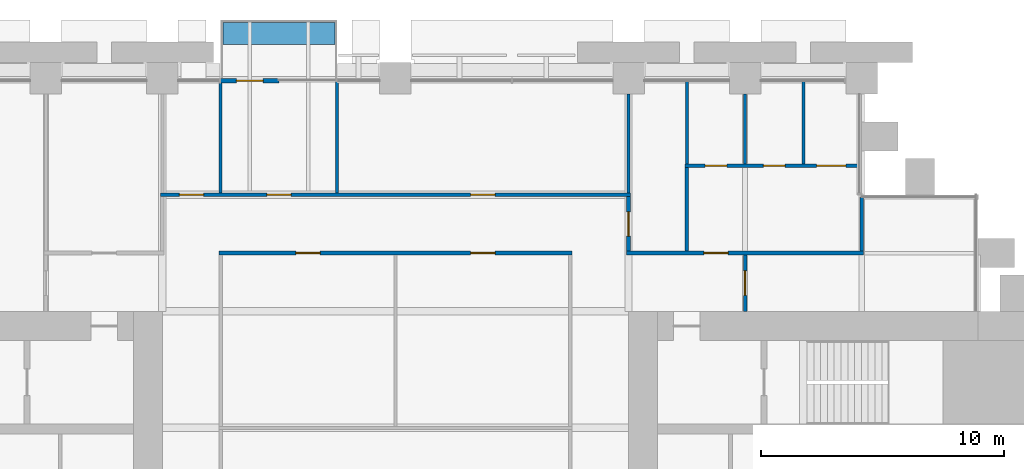
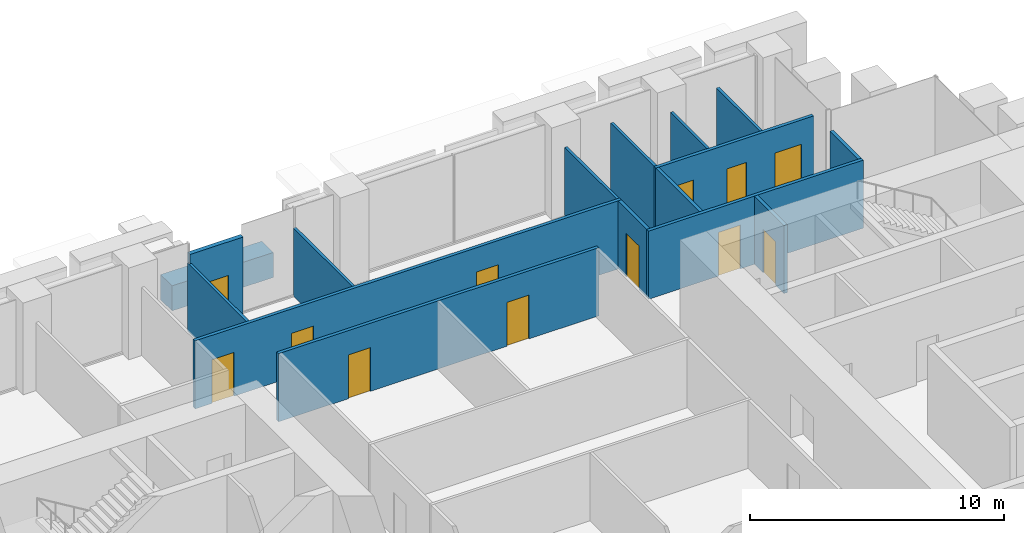
# One storey, part 27 of 32: 16 walls, 12 doors, 12 openings.
"""IFC4 building model written with IfcOpenShell, lengths in metres."""

from ifc_helpers import new_model, si_unit, direction, frame, frame_2d, origin, place, context, subcontext, project, spatial, rectangle, extrude, material, layer, layer_set, type_object, element, fill, save


model = new_model("IFC4")

# Units and contexts
model_context = context("Model", 3, precision=1e-05, world=origin(), true_north=direction((0.0, 1.0)))
body_context = subcontext(model_context, "Body", "Model", "MODEL_VIEW")
ifc_project = project(units=[si_unit("LENGTHUNIT", "METRE"), si_unit("AREAUNIT", "SQUARE_METRE"), si_unit("VOLUMEUNIT", "CUBIC_METRE"), si_unit("PLANEANGLEUNIT", "RADIAN"), si_unit("MASSUNIT", "GRAM", prefix="KILO")], contexts=[model_context])

# Site, building, storey
site_placement = place(None, origin())
site = spatial("IfcSite", under=ifc_project, at=site_placement, CompositionType="ELEMENT")
building_placement = place(site_placement, origin())
building = spatial("IfcBuilding", under=site, at=building_placement, Name="Baori Bourse Tower", CompositionType="ELEMENT")
storey_placement = place(building_placement, frame((0.0, 0.0, 21.39990234375)))
storey = spatial("IfcBuildingStorey", under=building, at=storey_placement, Name="L03", CompositionType="ELEMENT", Elevation=21.39990234375)

# Wall, openings, doors
ifc_material_1 = material(Name="Gypsum board partition")
ifc_layer_1 = layer(ifc_material_1, 0.14990234375)
ifc_layer_set_1 = layer_set([ifc_layer_1], Name="Corridor partition 150")
wall_type_1 = type_object("IfcWallType", Name="Corridor partition 150", PredefinedType="PARTITIONING", material=ifc_layer_set_1)
wall_1_placement = place(storey_placement, frame((21.52490234375, 40.800048828125, 0.0), z_axis=(0.0, 0.0, 1.0), x_axis=(1.0, 0.0, 0.0)))
wall_1 = element("IfcWall", 1, at=wall_1_placement, inside=storey, type_object=wall_type_1, Name="Partition", PredefinedType="PARTITIONING", context=body_context, shape_type="SweptSolid", body=[
    extrude(rectangle(XDim=14.550048828125, YDim=0.14990234375, at=frame_2d((7.27490234375, 0.0))), origin(), (0.0, 0.0, 1.0), 3.269775390625),
])
opening_1_placement = place(wall_1_placement, frame((3.175048828125, 0.0, 0.0)))
opening_1 = element("IfcOpeningElement", 2, at=opening_1_placement, cuts=wall_1, Name="Opening L03-D10", PredefinedType="OPENING", context=body_context, shape_type="SweptSolid", body=[
    extrude(rectangle(XDim=1.0, YDim=2.10009765625, at=frame_2d((0.5, 1.050048828125))), frame((0.0, 0.0849609375, 0.0), z_axis=(0.0, -1.0, 0.0), x_axis=(1.0, 0.0, 0.0)), (0.0, 0.0, 1.0), 0.169921875),
])
opening_2_placement = place(wall_1_placement, frame((10.375, 0.0, 0.0)))
opening_2 = element("IfcOpeningElement", 3, at=opening_2_placement, cuts=wall_1, Name="Opening L03-D11", PredefinedType="OPENING", context=body_context, shape_type="SweptSolid", body=[
    extrude(rectangle(XDim=1.0, YDim=2.10009765625, at=frame_2d((0.5, 1.050048828125))), frame((0.0, 0.0849609375, 0.0), z_axis=(0.0, -1.0, 0.0), x_axis=(1.0, 0.0, 0.0)), (0.0, 0.0, 1.0), 0.169921875),
])
ifc_material_2 = material(Name="Timber door leaf", Category="wood")
door_type_1 = type_object("IfcDoorType", Name="Door 1000 x 2100", OperationType="SINGLE_SWING_LEFT", PredefinedType="DOOR", material=ifc_material_2)
door_1_placement = place(opening_1_placement, origin())
door_1 = element("IfcDoor", 4, at=door_1_placement, inside=storey, type_object=door_type_1, Name="Door", OperationType="SINGLE_SWING_LEFT", OverallHeight=2.10009765625, OverallWidth=1.0, PredefinedType="DOOR", context=body_context, shape_type="SweptSolid", body=[
    extrude(rectangle(XDim=1.0, YDim=2.10009765625, at=frame_2d((0.5, 1.050048828125))), frame((0.0, 0.02490234375, 0.0), z_axis=(0.0, -1.0, 0.0), x_axis=(1.0, 0.0, 0.0)), (0.0, 0.0, 1.0), 0.050048828125),
])
fill(opening_1, door_1)
door_2_placement = place(opening_2_placement, origin())
door_2 = element("IfcDoor", 5, at=door_2_placement, inside=storey, type_object=door_type_1, Name="Door", OperationType="SINGLE_SWING_RIGHT", OverallHeight=2.10009765625, OverallWidth=1.0, PredefinedType="DOOR", context=body_context, shape_type="SweptSolid", body=[
    extrude(rectangle(XDim=1.0, YDim=2.10009765625, at=frame_2d((0.5, 1.050048828125))), frame((0.0, 0.02490234375, 0.0), z_axis=(0.0, -1.0, 0.0), x_axis=(1.0, 0.0, 0.0)), (0.0, 0.0, 1.0), 0.050048828125),
])
fill(opening_2, door_2)

# Wall, opening, door
wall_2_placement = place(storey_placement, frame((38.324951171875, 40.800048828125, 0.0), z_axis=(0.0, 0.0, 1.0), x_axis=(1.0, 0.0, 0.0)))
wall_2 = element("IfcWall", 6, at=wall_2_placement, inside=storey, type_object=wall_type_1, Name="Partition", PredefinedType="PARTITIONING", context=body_context, shape_type="SweptSolid", body=[
    extrude(rectangle(XDim=9.75, YDim=0.14990234375, at=frame_2d((4.875, 0.0))), origin(), (0.0, 0.0, 1.0), 3.269775390625),
])
opening_3_placement = place(wall_2_placement, frame((3.175048828125, 0.0, 0.0)))
opening_3 = element("IfcOpeningElement", 7, at=opening_3_placement, cuts=wall_2, Name="Opening L03-D12", PredefinedType="OPENING", context=body_context, shape_type="SweptSolid", body=[
    extrude(rectangle(XDim=1.0, YDim=2.10009765625, at=frame_2d((0.5, 1.050048828125))), frame((0.0, 0.0849609375, 0.0), z_axis=(0.0, -1.0, 0.0), x_axis=(1.0, 0.0, 0.0)), (0.0, 0.0, 1.0), 0.169921875),
])
door_3_placement = place(opening_3_placement, origin())
door_3 = element("IfcDoor", 8, at=door_3_placement, inside=storey, type_object=door_type_1, Name="Door", OperationType="SINGLE_SWING_LEFT", OverallHeight=2.10009765625, OverallWidth=1.0, PredefinedType="DOOR", context=body_context, shape_type="SweptSolid", body=[
    extrude(rectangle(XDim=1.0, YDim=2.10009765625, at=frame_2d((0.5, 1.050048828125))), frame((0.0, 0.02490234375, 0.0), z_axis=(0.0, -1.0, 0.0), x_axis=(1.0, 0.0, 0.0)), (0.0, 0.0, 1.0), 0.050048828125),
])
fill(opening_3, door_3)

# Wall, openings, doors
wall_3_placement = place(storey_placement, frame((19.125, 43.199951171875, 0.0), z_axis=(0.0, 0.0, 1.0), x_axis=(1.0, 0.0, 0.0)))
wall_3 = element("IfcWall", 9, at=wall_3_placement, inside=storey, type_object=wall_type_1, Name="Partition", PredefinedType="PARTITIONING", context=body_context, shape_type="SweptSolid", body=[
    extrude(rectangle(XDim=19.35009765625, YDim=0.14990234375, at=frame_2d((9.675048828125, 0.0))), origin(), (0.0, 0.0, 1.0), 3.269775390625),
])
opening_4_placement = place(wall_3_placement, frame((0.77490234375, 0.0, 0.0)))
opening_4 = element("IfcOpeningElement", 10, at=opening_4_placement, cuts=wall_3, Name="Opening L03-D13", PredefinedType="OPENING", context=body_context, shape_type="SweptSolid", body=[
    extrude(rectangle(XDim=1.0, YDim=2.10009765625, at=frame_2d((0.5, 1.050048828125))), frame((0.0, 0.0849609375, 0.0), z_axis=(0.0, -1.0, 0.0), x_axis=(1.0, 0.0, 0.0)), (0.0, 0.0, 1.0), 0.169921875),
])
opening_5_placement = place(wall_3_placement, frame((4.375, 0.0, 0.0)))
opening_5 = element("IfcOpeningElement", 11, at=opening_5_placement, cuts=wall_3, Name="Opening L03-D14", PredefinedType="OPENING", context=body_context, shape_type="SweptSolid", body=[
    extrude(rectangle(XDim=1.0, YDim=2.10009765625, at=frame_2d((0.5, 1.050048828125))), frame((0.0, 0.0849609375, 0.0), z_axis=(0.0, -1.0, 0.0), x_axis=(1.0, 0.0, 0.0)), (0.0, 0.0, 1.0), 0.169921875),
])
opening_6_placement = place(wall_3_placement, frame((12.77490234375, 0.0, 0.0)))
opening_6 = element("IfcOpeningElement", 12, at=opening_6_placement, cuts=wall_3, Name="Opening L03-D15", PredefinedType="OPENING", context=body_context, shape_type="SweptSolid", body=[
    extrude(rectangle(XDim=1.0, YDim=2.10009765625, at=frame_2d((0.5, 1.050048828125))), frame((0.0, 0.0849609375, 0.0), z_axis=(0.0, -1.0, 0.0), x_axis=(1.0, 0.0, 0.0)), (0.0, 0.0, 1.0), 0.169921875),
])
door_4_placement = place(opening_4_placement, origin())
door_4 = element("IfcDoor", 13, at=door_4_placement, inside=storey, type_object=door_type_1, Name="Door", OperationType="SINGLE_SWING_RIGHT", OverallHeight=2.10009765625, OverallWidth=1.0, PredefinedType="DOOR", context=body_context, shape_type="SweptSolid", body=[
    extrude(rectangle(XDim=1.0, YDim=2.10009765625, at=frame_2d((0.5, 1.050048828125))), frame((0.0, 0.02490234375, 0.0), z_axis=(0.0, -1.0, 0.0), x_axis=(1.0, 0.0, 0.0)), (0.0, 0.0, 1.0), 0.050048828125),
])
fill(opening_4, door_4)
door_5_placement = place(opening_5_placement, origin())
door_5 = element("IfcDoor", 14, at=door_5_placement, inside=storey, type_object=door_type_1, Name="Door", OperationType="SINGLE_SWING_RIGHT", OverallHeight=2.10009765625, OverallWidth=1.0, PredefinedType="DOOR", context=body_context, shape_type="SweptSolid", body=[
    extrude(rectangle(XDim=1.0, YDim=2.10009765625, at=frame_2d((0.5, 1.050048828125))), frame((0.0, 0.02490234375, 0.0), z_axis=(0.0, -1.0, 0.0), x_axis=(1.0, 0.0, 0.0)), (0.0, 0.0, 1.0), 0.050048828125),
])
fill(opening_5, door_5)
door_6_placement = place(opening_6_placement, origin())
door_6 = element("IfcDoor", 15, at=door_6_placement, inside=storey, type_object=door_type_1, Name="Door", OperationType="SINGLE_SWING_LEFT", OverallHeight=2.10009765625, OverallWidth=1.0, PredefinedType="DOOR", context=body_context, shape_type="SweptSolid", body=[
    extrude(rectangle(XDim=1.0, YDim=2.10009765625, at=frame_2d((0.5, 1.050048828125))), frame((0.0, 0.02490234375, 0.0), z_axis=(0.0, -1.0, 0.0), x_axis=(1.0, 0.0, 0.0)), (0.0, 0.0, 1.0), 0.050048828125),
])
fill(opening_6, door_6)

wall_4_placement = place(storey_placement, frame((40.72509765625, 44.39990234375, 0.0), z_axis=(0.0, 0.0, 1.0), x_axis=(1.0, 0.0, 0.0)))
wall_4 = element("IfcWall", 16, at=wall_4_placement, inside=storey, type_object=wall_type_1, Name="Partition", PredefinedType="PARTITIONING", context=body_context, shape_type="SweptSolid", body=[
    extrude(rectangle(XDim=7.1748046875, YDim=0.14990234375, at=frame_2d((3.58740234375, 0.0))), origin(), (0.0, 0.0, 1.0), 3.269775390625),
])
opening_7_placement = place(wall_4_placement, frame((0.824951171875, 0.0, 0.0)))
opening_7 = element("IfcOpeningElement", 17, at=opening_7_placement, cuts=wall_4, Name="Opening L03-D16", PredefinedType="OPENING", context=body_context, shape_type="SweptSolid", body=[
    extrude(rectangle(XDim=0.89990234375, YDim=2.10009765625, at=frame_2d((0.449951171875, 1.050048828125))), frame((0.0, 0.0849609375, 0.0), z_axis=(0.0, -1.0, 0.0), x_axis=(1.0, 0.0, 0.0)), (0.0, 0.0, 1.0), 0.169921875),
])
opening_8_placement = place(wall_4_placement, frame((3.22509765625, 0.0, 0.0)))
opening_8 = element("IfcOpeningElement", 18, at=opening_8_placement, cuts=wall_4, Name="Opening L03-D17", PredefinedType="OPENING", context=body_context, shape_type="SweptSolid", body=[
    extrude(rectangle(XDim=0.89990234375, YDim=2.10009765625, at=frame_2d((0.449951171875, 1.050048828125))), frame((0.0, 0.0849609375, 0.0), z_axis=(0.0, -1.0, 0.0), x_axis=(1.0, 0.0, 0.0)), (0.0, 0.0, 1.0), 0.169921875),
])
opening_9_placement = place(wall_4_placement, frame((5.425048828125, 0.0, 0.0)))
opening_9 = element("IfcOpeningElement", 19, at=opening_9_placement, cuts=wall_4, Name="Opening L03-D18", PredefinedType="OPENING", context=body_context, shape_type="SweptSolid", body=[
    extrude(rectangle(XDim=1.199951171875, YDim=2.10009765625, at=frame_2d((0.60009765625, 1.050048828125))), frame((0.0, 0.0849609375, 0.0), z_axis=(0.0, -1.0, 0.0), x_axis=(1.0, 0.0, 0.0)), (0.0, 0.0, 1.0), 0.169921875),
])
ifc_material_3 = material(Name="Timber door leaf", Category="wood")
door_type_2 = type_object("IfcDoorType", Name="Door 1200 x 2100", OperationType="SINGLE_SWING_LEFT", PredefinedType="DOOR", material=ifc_material_3)
door_7_placement = place(opening_9_placement, origin())
door_7 = element("IfcDoor", 20, at=door_7_placement, inside=storey, type_object=door_type_2, Name="Door", OperationType="SINGLE_SWING_LEFT", OverallHeight=2.10009765625, OverallWidth=1.199951171875, PredefinedType="DOOR", context=body_context, shape_type="SweptSolid", body=[
    extrude(rectangle(XDim=1.199951171875, YDim=2.10009765625, at=frame_2d((0.60009765625, 1.050048828125))), frame((0.0, 0.02490234375, 0.0), z_axis=(0.0, -1.0, 0.0), x_axis=(1.0, 0.0, 0.0)), (0.0, 0.0, 1.0), 0.050048828125),
])
fill(opening_9, door_7)
ifc_material_4 = material(Name="Timber door leaf", Category="wood")
door_type_3 = type_object("IfcDoorType", Name="Door 900 x 2100", OperationType="SINGLE_SWING_LEFT", PredefinedType="DOOR", material=ifc_material_4)
door_8_placement = place(opening_7_placement, origin())
door_8 = element("IfcDoor", 21, at=door_8_placement, inside=storey, type_object=door_type_3, Name="Door", OperationType="SINGLE_SWING_RIGHT", OverallHeight=2.10009765625, OverallWidth=0.89990234375, PredefinedType="DOOR", context=body_context, shape_type="SweptSolid", body=[
    extrude(rectangle(XDim=0.89990234375, YDim=2.10009765625, at=frame_2d((0.449951171875, 1.050048828125))), frame((0.0, 0.02490234375, 0.0), z_axis=(0.0, -1.0, 0.0), x_axis=(1.0, 0.0, 0.0)), (0.0, 0.0, 1.0), 0.050048828125),
])
fill(opening_7, door_8)
door_9_placement = place(opening_8_placement, origin())
door_9 = element("IfcDoor", 22, at=door_9_placement, inside=storey, type_object=door_type_3, Name="Door", OperationType="SINGLE_SWING_LEFT", OverallHeight=2.10009765625, OverallWidth=0.89990234375, PredefinedType="DOOR", context=body_context, shape_type="SweptSolid", body=[
    extrude(rectangle(XDim=0.89990234375, YDim=2.10009765625, at=frame_2d((0.449951171875, 1.050048828125))), frame((0.0, 0.02490234375, 0.0), z_axis=(0.0, -1.0, 0.0), x_axis=(1.0, 0.0, 0.0)), (0.0, 0.0, 1.0), 0.050048828125),
])
fill(opening_8, door_9)

# Wall, opening, door
wall_5_placement = place(storey_placement, frame((38.39990234375, 40.875, 0.0), z_axis=(0.0, 0.0, 1.0), x_axis=(0.0, 1.0, 0.0)))
wall_5 = element("IfcWall", 23, at=wall_5_placement, inside=storey, type_object=wall_type_1, Name="Partition", PredefinedType="PARTITIONING", context=body_context, shape_type="SweptSolid", body=[
    extrude(rectangle(XDim=2.25, YDim=0.14990234375, at=frame_2d((1.125, 0.0))), origin(), (0.0, 0.0, 1.0), 3.269775390625),
])
opening_10_placement = place(wall_5_placement, frame((0.625, 0.0, 0.0)))
opening_10 = element("IfcOpeningElement", 24, at=opening_10_placement, cuts=wall_5, Name="Opening L03-D28", PredefinedType="OPENING", context=body_context, shape_type="SweptSolid", body=[
    extrude(rectangle(XDim=1.0, YDim=2.10009765625, at=frame_2d((0.5, 1.050048828125))), frame((0.0, 0.0849609375, 0.0), z_axis=(0.0, -1.0, 0.0), x_axis=(1.0, 0.0, 0.0)), (0.0, 0.0, 1.0), 0.169921875),
])
door_10_placement = place(opening_10_placement, origin())
door_10 = element("IfcDoor", 25, at=door_10_placement, inside=storey, type_object=door_type_1, Name="Door", OperationType="SINGLE_SWING_LEFT", OverallHeight=2.10009765625, OverallWidth=1.0, PredefinedType="DOOR", context=body_context, shape_type="SweptSolid", body=[
    extrude(rectangle(XDim=1.0, YDim=2.10009765625, at=frame_2d((0.5, 1.050048828125))), frame((0.0, 0.02490234375, 0.0), z_axis=(0.0, -1.0, 0.0), x_axis=(1.0, 0.0, 0.0)), (0.0, 0.0, 1.0), 0.050048828125),
])
fill(opening_10, door_10)

# Wall
wall_6_placement = place(storey_placement, frame((40.800048828125, 40.875, 0.0), z_axis=(0.0, 0.0, 1.0), x_axis=(0.0, 1.0, 0.0)))
element("IfcWall", 26, at=wall_6_placement, inside=storey, type_object=wall_type_1, Name="Partition", PredefinedType="PARTITIONING", context=body_context, shape_type="SweptSolid", body=[
    extrude(rectangle(XDim=3.449951171875, YDim=0.14990234375, at=frame_2d((1.72509765625, 0.0))), origin(), (0.0, 0.0, 1.0), 3.269775390625),
])

# Wall, opening, door
wall_7_placement = place(storey_placement, frame((43.199951171875, 38.39990234375, 0.0), z_axis=(0.0, 0.0, 1.0), x_axis=(0.0, 1.0, 0.0)))
wall_7 = element("IfcWall", 27, at=wall_7_placement, inside=storey, type_object=wall_type_1, Name="Partition", PredefinedType="PARTITIONING", context=body_context, shape_type="SweptSolid", body=[
    extrude(rectangle(XDim=2.3251953125, YDim=0.14990234375, at=frame_2d((1.16259765625, 0.0))), origin(), (0.0, 0.0, 1.0), 3.269775390625),
])
opening_11_placement = place(wall_7_placement, frame((0.66259765625, 0.0, 0.0)))
opening_11 = element("IfcOpeningElement", 28, at=opening_11_placement, cuts=wall_7, Name="Opening L03-D30", PredefinedType="OPENING", context=body_context, shape_type="SweptSolid", body=[
    extrude(rectangle(XDim=1.0, YDim=2.10009765625, at=frame_2d((0.5, 1.050048828125))), frame((0.0, 0.0849609375, 0.0), z_axis=(0.0, -1.0, 0.0), x_axis=(1.0, 0.0, 0.0)), (0.0, 0.0, 1.0), 0.169921875),
])
door_11_placement = place(opening_11_placement, origin())
door_11 = element("IfcDoor", 29, at=door_11_placement, inside=storey, type_object=door_type_1, Name="Door", OperationType="SINGLE_SWING_LEFT", OverallHeight=2.10009765625, OverallWidth=1.0, PredefinedType="DOOR", context=body_context, shape_type="SweptSolid", body=[
    extrude(rectangle(XDim=1.0, YDim=2.10009765625, at=frame_2d((0.5, 1.050048828125))), frame((0.0, 0.02490234375, 0.0), z_axis=(0.0, -1.0, 0.0), x_axis=(1.0, 0.0, 0.0)), (0.0, 0.0, 1.0), 0.050048828125),
])
fill(opening_11, door_11)

# Wall
wall_8_placement = place(storey_placement, frame((48.0, 40.875, 0.0), z_axis=(0.0, 0.0, 1.0), x_axis=(0.0, 1.0, 0.0)))
element("IfcWall", 30, at=wall_8_placement, inside=storey, type_object=wall_type_1, Name="Partition", PredefinedType="PARTITIONING", context=body_context, shape_type="SweptSolid", body=[
    extrude(rectangle(XDim=2.22509765625, YDim=0.14990234375, at=frame_2d((1.112548828125, 0.0))), origin(), (0.0, 0.0, 1.0), 3.269775390625),
])

# Wall, opening, door
ifc_material_5 = material(Name="Pale anodised aluminium", Category="aluminium")
ifc_layer_2 = layer(ifc_material_5, 0.199951171875)
ifc_layer_set_2 = layer_set([ifc_layer_2], Name="EW1 External wall bay")
wall_type_2 = type_object("IfcWallType", Name="EW1 External wall bay", PredefinedType="SOLIDWALL", material=ifc_layer_set_2)
wall_9_placement = place(storey_placement, frame((24.0, 47.89990234375, 0.0), z_axis=(0.0, 0.0, 1.0), x_axis=(-1.0, 0.0, 0.0)))
wall_9 = element("IfcWall", 31, at=wall_9_placement, inside=storey, type_object=wall_type_2, Name="External wall bay L03 1", PredefinedType="SOLIDWALL", context=body_context, shape_type="SweptSolid", body=[
    extrude(rectangle(XDim=2.39990234375, YDim=0.199951171875, at=frame_2d((1.199951171875, 0.0))), origin(), (0.0, 0.0, 1.0), 3.71435546875),
])
opening_12_placement = place(wall_9_placement, frame((0.64990234375, 0.0, 0.0)))
opening_12 = element("IfcOpeningElement", 32, at=opening_12_placement, cuts=wall_9, Name="Opening L03-D91", PredefinedType="OPENING", context=body_context, shape_type="SweptSolid", body=[
    extrude(rectangle(XDim=1.10009765625, YDim=2.10009765625, at=frame_2d((0.550048828125, 1.050048828125))), frame((0.0, 0.10986328125, 0.0), z_axis=(0.0, -1.0, 0.0), x_axis=(1.0, 0.0, 0.0)), (0.0, 0.0, 1.0), 0.219970703125),
])
ifc_material_6 = material(Name="Pale anodised aluminium", Category="aluminium")
door_type_4 = type_object("IfcDoorType", Name="BL1 Balcony door", OperationType="SINGLE_SWING_LEFT", PredefinedType="DOOR", material=ifc_material_6)
door_12_placement = place(opening_12_placement, origin())
door_12 = element("IfcDoor", 33, at=door_12_placement, inside=storey, type_object=door_type_4, Name="Balcony door L03 1", OperationType="SINGLE_SWING_LEFT", OverallHeight=2.10009765625, OverallWidth=1.10009765625, PredefinedType="DOOR", context=body_context, shape_type="SweptSolid", body=[
    extrude(rectangle(XDim=1.10009765625, YDim=2.10009765625, at=frame_2d((0.550048828125, 1.050048828125))), frame((0.0, 0.02490234375, 0.0), z_axis=(0.0, -1.0, 0.0), x_axis=(1.0, 0.0, 0.0)), (0.0, 0.0, 1.0), 0.050048828125),
])
fill(opening_12, door_12)

# Walls
ifc_material_7 = material(Name="Concrete f'c 40 MPa", Category="concrete")
ifc_layer_3 = layer(ifc_material_7, 0.89990234375)
ifc_layer_set_3 = layer_set([ifc_layer_3], Name="PW1 Planter wall")
wall_type_3 = type_object("IfcWallType", Name="PW1 Planter wall", PredefinedType="USERDEFINED", material=ifc_layer_set_3)
wall_10_placement = place(storey_placement, frame((21.699951171875, 49.85009765625, 0.0), z_axis=(0.0, 0.0, 1.0), x_axis=(1.0, 0.0, 0.0)))
element("IfcWall", 34, at=wall_10_placement, inside=storey, type_object=wall_type_3, Name="Planter balcony N L03 2", ObjectType="PLANTER", PredefinedType="USERDEFINED", context=body_context, shape_type="SweptSolid", body=[
    extrude(rectangle(XDim=4.60009765625, YDim=0.89990234375, at=frame_2d((2.300048828125, 0.0))), origin(), (0.0, 0.0, 1.0), 1.2001953125),
])
ifc_material_8 = material(Name="Gypsum board partition")
ifc_layer_4 = layer(ifc_material_8, 0.125)
ifc_layer_set_4 = layer_set([ifc_layer_4], Name="Partition 125")
wall_type_4 = type_object("IfcWallType", Name="Partition 125", PredefinedType="PARTITIONING", material=ifc_layer_set_4)
for number, where, z_axis, x_axis, name in (
    (35, (21.60009765625, 43.27490234375, 0.0), (0.0, 0.0, 1.0), (0.0, 1.0, 0.0), "Partition"),
    (36, (26.39990234375, 43.27490234375, 0.0), (0.0, 0.0, 1.0), (0.0, 1.0, 0.0), "Partition"),
):
    element("IfcWall", number, at=place(storey_placement, frame(where, z_axis=z_axis, x_axis=x_axis)), inside=storey, type_object=wall_type_4, Name=name, PredefinedType="PARTITIONING", context=body_context, shape_type="SweptSolid", body=[
        extrude(rectangle(XDim=4.625, YDim=0.125, at=frame_2d((2.3125, 0.0))), origin(), (0.0, 0.0, 1.0), 3.269775390625),
    ])
wall_11_placement = place(storey_placement, frame((38.39990234375, 43.27490234375, 0.0), z_axis=(0.0, 0.0, 1.0), x_axis=(0.0, 1.0, 0.0)))
element("IfcWall", 37, at=wall_11_placement, inside=storey, type_object=wall_type_4, Name="Partition", PredefinedType="PARTITIONING", context=body_context, shape_type="SweptSolid", body=[
    extrude(rectangle(XDim=4.0751953125, YDim=0.125, at=frame_2d((2.03759765625, 0.0))), origin(), (0.0, 0.0, 1.0), 3.269775390625),
])
wall_12_placement = place(storey_placement, frame((40.800048828125, 44.47509765625, 0.0), z_axis=(0.0, 0.0, 1.0), x_axis=(0.0, 1.0, 0.0)))
element("IfcWall", 38, at=wall_12_placement, inside=storey, type_object=wall_type_4, Name="Partition", PredefinedType="PARTITIONING", context=body_context, shape_type="SweptSolid", body=[
    extrude(rectangle(XDim=3.4248046875, YDim=0.125, at=frame_2d((1.71240234375, 0.0))), origin(), (0.0, 0.0, 1.0), 3.269775390625),
])
wall_13_placement = place(storey_placement, frame((43.199951171875, 44.47509765625, 0.0), z_axis=(0.0, 0.0, 1.0), x_axis=(0.0, 1.0, 0.0)))
element("IfcWall", 39, at=wall_13_placement, inside=storey, type_object=wall_type_4, Name="Partition", PredefinedType="PARTITIONING", context=body_context, shape_type="SweptSolid", body=[
    extrude(rectangle(XDim=2.875, YDim=0.125, at=frame_2d((1.4375, 0.0))), origin(), (0.0, 0.0, 1.0), 3.269775390625),
])
wall_14_placement = place(storey_placement, frame((45.60009765625, 44.47509765625, 0.0), z_axis=(0.0, 0.0, 1.0), x_axis=(0.0, 1.0, 0.0)))
element("IfcWall", 40, at=wall_14_placement, inside=storey, type_object=wall_type_4, Name="Partition", PredefinedType="PARTITIONING", context=body_context, shape_type="SweptSolid", body=[
    extrude(rectangle(XDim=3.4248046875, YDim=0.125, at=frame_2d((1.71240234375, 0.0))), origin(), (0.0, 0.0, 1.0), 3.269775390625),
])

save(model, "model.ifc")
